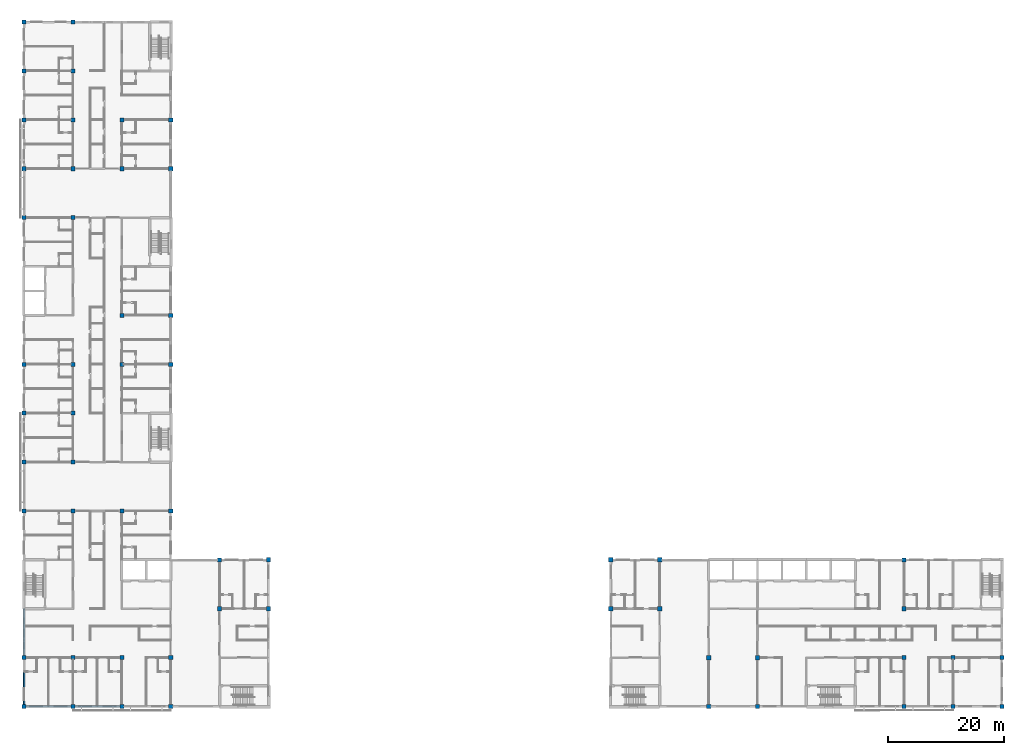
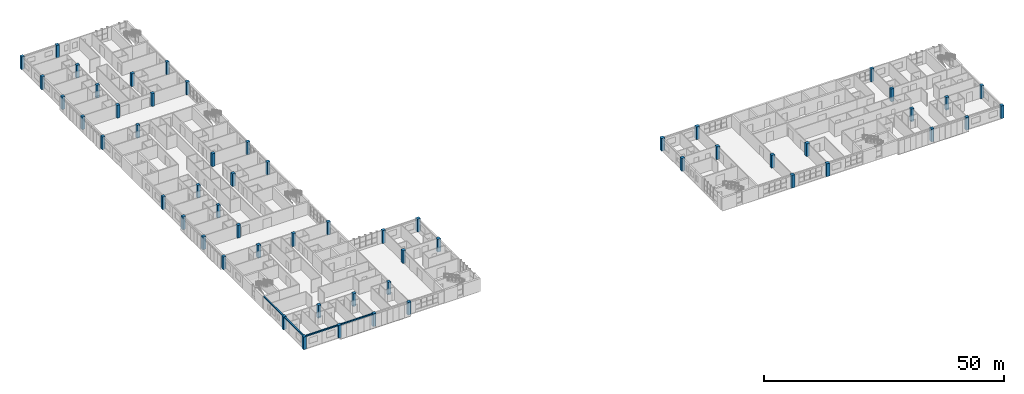
# One storey, part 1 of 45: 56 columns, 4 beams.
"""IFC4 building model written with IfcOpenShell, lengths in metres."""

from ifc_helpers import new_model, si_unit, direction, frame, origin, origin_2d, place, context, subcontext, project, spatial, rectangle, extrude, material, material_profile, profile_set, type_object, element, save


model = new_model("IFC4")

# Units and contexts
model_context = context("Model", 3, precision=1e-05, world=origin(), true_north=direction((0.0, 1.0)))
body_context = subcontext(model_context, "Body", "Model", "MODEL_VIEW")
ifc_project = project(units=[si_unit("LENGTHUNIT", "METRE"), si_unit("AREAUNIT", "SQUARE_METRE"), si_unit("VOLUMEUNIT", "CUBIC_METRE"), si_unit("PLANEANGLEUNIT", "RADIAN"), si_unit("MASSUNIT", "GRAM", prefix="KILO")], contexts=[model_context])

# Site, building, storey
site_placement = place(None, origin())
site = spatial("IfcSite", under=ifc_project, at=site_placement, CompositionType="ELEMENT")
building_placement = place(site_placement, origin())
building = spatial("IfcBuilding", under=site, at=building_placement, Name="Yavir Park General Hospital", CompositionType="ELEMENT")
storey_placement = place(building_placement, frame((0.0, 0.0, 22.5)))
storey = spatial("IfcBuildingStorey", under=building, at=storey_placement, Name="L05", CompositionType="ELEMENT", Elevation=22.5)

# Columns
ifc_material_1 = material(Name="Concrete C40/50", Category="concrete")
ifc_material_profile_1 = material_profile(ifc_material_1, rectangle(XDim=0.699951171875, YDim=0.699951171875, at=origin_2d()), Name="RC700x700")
ifc_profile_set_1 = profile_set([ifc_material_profile_1], Name="Concrete C40/50")
column_type_1 = type_object("IfcColumnType", Name="RC COLUMN 700x700", PredefinedType="COLUMN", material=ifc_profile_set_1)
for number, where, z_axis, x_axis, name in (
    (1, (0.0, 0.0, 0.0), (0.0, 0.0, 1.0), (1.0, 0.0, 0.0), "C:L05:1A"),
    (2, (8.39990234375, 0.0, 0.0), (0.0, 0.0, 1.0), (1.0, 0.0, 0.0), "C:L05:2A"),
    (3, (16.800048828125, 0.0, 0.0), (0.0, 0.0, 1.0), (1.0, 0.0, 0.0), "C:L05:3A"),
    (4, (25.199951171875, 0.0, 0.0), (0.0, 0.0, 1.0), (1.0, 0.0, 0.0), "C:L05:4A"),
    (5, (151.199951171875, 0.0, 0.0), (0.0, 0.0, 1.0), (1.0, 0.0, 0.0), "C:L05:19A"),
    (6, (159.60009765625, 0.0, 0.0), (0.0, 0.0, 1.0), (1.0, 0.0, 0.0), "C:L05:20A"),
    (7, (168.0, 0.0, 0.0), (0.0, 0.0, 1.0), (1.0, 0.0, 0.0), "C:L05:21A"),
    (8, (0.0, 8.39990234375, 0.0), (0.0, 0.0, 1.0), (1.0, 0.0, 0.0), "C:L05:1B"),
    (9, (8.39990234375, 8.39990234375, 0.0), (0.0, 0.0, 1.0), (1.0, 0.0, 0.0), "C:L05:2B"),
    (10, (16.800048828125, 8.39990234375, 0.0), (0.0, 0.0, 1.0), (1.0, 0.0, 0.0), "C:L05:3B"),
    (11, (25.199951171875, 8.39990234375, 0.0), (0.0, 0.0, 1.0), (1.0, 0.0, 0.0), "C:L05:4B"),
    (12, (151.199951171875, 8.39990234375, 0.0), (0.0, 0.0, 1.0), (1.0, 0.0, 0.0), "C:L05:19B"),
    (13, (159.60009765625, 8.39990234375, 0.0), (0.0, 0.0, 1.0), (1.0, 0.0, 0.0), "C:L05:20B"),
    (14, (168.0, 8.39990234375, 0.0), (0.0, 0.0, 1.0), (1.0, 0.0, 0.0), "C:L05:21B"),
    (15, (33.60009765625, 16.800048828125, 0.0), (0.0, 0.0, 1.0), (1.0, 0.0, 0.0), "C:L05:5C"),
    (16, (151.199951171875, 16.800048828125, 0.0), (0.0, 0.0, 1.0), (1.0, 0.0, 0.0), "C:L05:19C"),
    (17, (33.60009765625, 25.199951171875, 0.0), (0.0, 0.0, 1.0), (1.0, 0.0, 0.0), "C:L05:5D"),
    (18, (151.199951171875, 25.199951171875, 0.0), (0.0, 0.0, 1.0), (1.0, 0.0, 0.0), "C:L05:19D"),
    (19, (0.0, 33.60009765625, 0.0), (0.0, 0.0, 1.0), (1.0, 0.0, 0.0), "C:L05:1E"),
    (20, (8.39990234375, 33.60009765625, 0.0), (0.0, 0.0, 1.0), (1.0, 0.0, 0.0), "C:L05:2E"),
    (21, (16.800048828125, 33.60009765625, 0.0), (0.0, 0.0, 1.0), (1.0, 0.0, 0.0), "C:L05:3E"),
    (22, (25.199951171875, 33.60009765625, 0.0), (0.0, 0.0, 1.0), (1.0, 0.0, 0.0), "C:L05:4E"),
    (23, (0.0, 42.0, 0.0), (0.0, 0.0, 1.0), (1.0, 0.0, 0.0), "C:L05:1F"),
    (24, (8.39990234375, 42.0, 0.0), (0.0, 0.0, 1.0), (1.0, 0.0, 0.0), "C:L05:2F"),
    (25, (0.0, 50.39990234375, 0.0), (0.0, 0.0, 1.0), (1.0, 0.0, 0.0), "C:L05:1G"),
    (26, (8.39990234375, 50.39990234375, 0.0), (0.0, 0.0, 1.0), (1.0, 0.0, 0.0), "C:L05:2G"),
    (27, (0.0, 58.800048828125, 0.0), (0.0, 0.0, 1.0), (1.0, 0.0, 0.0), "C:L05:1H"),
    (28, (8.39990234375, 58.800048828125, 0.0), (0.0, 0.0, 1.0), (1.0, 0.0, 0.0), "C:L05:2H"),
    (29, (16.800048828125, 58.800048828125, 0.0), (0.0, 0.0, 1.0), (1.0, 0.0, 0.0), "C:L05:3H"),
    (30, (25.199951171875, 58.800048828125, 0.0), (0.0, 0.0, 1.0), (1.0, 0.0, 0.0), "C:L05:4H"),
    (31, (16.800048828125, 67.199951171875, 0.0), (0.0, 0.0, 1.0), (1.0, 0.0, 0.0), "C:L05:3J"),
    (32, (25.199951171875, 67.199951171875, 0.0), (0.0, 0.0, 1.0), (1.0, 0.0, 0.0), "C:L05:4J"),
    (33, (0.0, 84.0, 0.0), (0.0, 0.0, 1.0), (1.0, 0.0, 0.0), "C:L05:1L"),
    (34, (8.39990234375, 84.0, 0.0), (0.0, 0.0, 1.0), (1.0, 0.0, 0.0), "C:L05:2L"),
    (35, (0.0, 92.39990234375, 0.0), (0.0, 0.0, 1.0), (1.0, 0.0, 0.0), "C:L05:1M"),
    (36, (8.39990234375, 92.39990234375, 0.0), (0.0, 0.0, 1.0), (1.0, 0.0, 0.0), "C:L05:2M"),
    (37, (16.800048828125, 92.39990234375, 0.0), (0.0, 0.0, 1.0), (1.0, 0.0, 0.0), "C:L05:3M"),
    (38, (25.199951171875, 92.39990234375, 0.0), (0.0, 0.0, 1.0), (1.0, 0.0, 0.0), "C:L05:4M"),
    (39, (0.0, 100.800048828125, 0.0), (0.0, 0.0, 1.0), (1.0, 0.0, 0.0), "C:L05:1N"),
    (40, (8.39990234375, 100.800048828125, 0.0), (0.0, 0.0, 1.0), (1.0, 0.0, 0.0), "C:L05:2N"),
    (41, (16.800048828125, 100.800048828125, 0.0), (0.0, 0.0, 1.0), (1.0, 0.0, 0.0), "C:L05:3N"),
    (42, (25.199951171875, 100.800048828125, 0.0), (0.0, 0.0, 1.0), (1.0, 0.0, 0.0), "C:L05:4N"),
    (43, (0.0, 109.199951171875, 0.0), (0.0, 0.0, 1.0), (1.0, 0.0, 0.0), "C:L05:1P"),
    (44, (8.39990234375, 109.199951171875, 0.0), (0.0, 0.0, 1.0), (1.0, 0.0, 0.0), "C:L05:2P"),
    (45, (0.0, 117.60009765625, 0.0), (0.0, 0.0, 1.0), (1.0, 0.0, 0.0), "C:L05:1Q"),
    (46, (8.39990234375, 117.60009765625, 0.0), (0.0, 0.0, 1.0), (1.0, 0.0, 0.0), "C:L05:2Q"),
):
    element("IfcColumn", number, at=place(storey_placement, frame(where, z_axis=z_axis, x_axis=x_axis)), inside=storey, type_object=column_type_1, Name=name, PredefinedType="COLUMN", context=body_context, shape_type="SweptSolid", body=[
        extrude(rectangle(XDim=0.699951171875, YDim=0.699951171875, at=origin_2d()), origin(), (0.0, 0.0, 1.0), 3.260009765625),
    ])
ifc_material_2 = material(Name="Concrete C40/50", Category="concrete")
ifc_material_profile_2 = material_profile(ifc_material_2, rectangle(XDim=0.75, YDim=0.75, at=origin_2d()), Name="RC750x750")
ifc_profile_set_2 = profile_set([ifc_material_profile_2], Name="Concrete C40/50")
column_type_2 = type_object("IfcColumnType", Name="RC COLUMN 750x750", PredefinedType="COLUMN", material=ifc_profile_set_2)
for number, where, z_axis, x_axis, name in (
    (47, (117.60009765625, 0.0, 0.0), (0.0, 0.0, 1.0), (1.0, 0.0, 0.0), "C:L05:15A"),
    (48, (126.0, 0.0, 0.0), (0.0, 0.0, 1.0), (1.0, 0.0, 0.0), "C:L05:16A"),
    (49, (117.60009765625, 8.39990234375, 0.0), (0.0, 0.0, 1.0), (1.0, 0.0, 0.0), "C:L05:15B"),
    (50, (126.0, 8.39990234375, 0.0), (0.0, 0.0, 1.0), (1.0, 0.0, 0.0), "C:L05:16B"),
    (51, (42.0, 16.800048828125, 0.0), (0.0, 0.0, 1.0), (1.0, 0.0, 0.0), "C:L05:6C"),
    (52, (100.800048828125, 16.800048828125, 0.0), (0.0, 0.0, 1.0), (1.0, 0.0, 0.0), "C:L05:13C"),
    (53, (109.199951171875, 16.800048828125, 0.0), (0.0, 0.0, 1.0), (1.0, 0.0, 0.0), "C:L05:14C"),
    (54, (42.0, 25.199951171875, 0.0), (0.0, 0.0, 1.0), (1.0, 0.0, 0.0), "C:L05:6D"),
    (55, (100.800048828125, 25.199951171875, 0.0), (0.0, 0.0, 1.0), (1.0, 0.0, 0.0), "C:L05:13D"),
    (56, (109.199951171875, 25.199951171875, 0.0), (0.0, 0.0, 1.0), (1.0, 0.0, 0.0), "C:L05:14D"),
):
    element("IfcColumn", number, at=place(storey_placement, frame(where, z_axis=z_axis, x_axis=x_axis)), inside=storey, type_object=column_type_2, Name=name, PredefinedType="COLUMN", context=body_context, shape_type="SweptSolid", body=[
        extrude(rectangle(XDim=0.75, YDim=0.75, at=origin_2d()), origin(), (0.0, 0.0, 1.0), 3.260009765625),
    ])

# Beams
ifc_material_3 = material(Name="Concrete C35/45", Category="concrete")
ifc_material_profile_3 = material_profile(ifc_material_3, rectangle(XDim=0.300048828125, YDim=0.300048828125, at=origin_2d()), Name="RC300x300")
ifc_profile_set_3 = profile_set([ifc_material_profile_3], Name="Concrete C35/45")
beam_type = type_object("IfcBeamType", Name="RC BEAM 300x300 edge beam", PredefinedType="BEAM", material=ifc_profile_set_3)
for number, where, z_axis, x_axis, name in (
    (57, (0.35009765625, 0.0, 3.110107421875), (1.0, 0.0, 0.0), (0.0, 1.0, 0.0), "B:EDGE:L05:001"),
    (58, (8.75, 0.0, 3.110107421875), (1.0, 0.0, 0.0), (0.0, 1.0, 0.0), "B:EDGE:L05:002"),
    (59, (0.0, 0.35009765625, 3.110107421875), (0.0, 1.0, 0.0), (-1.0, 0.0, 0.0), "B:EDGE:L05:016"),
):
    element("IfcBeam", number, at=place(storey_placement, frame(where, z_axis=z_axis, x_axis=x_axis)), inside=storey, type_object=beam_type, Name=name, PredefinedType="BEAM", context=body_context, shape_type="SweptSolid", body=[
        extrude(rectangle(XDim=0.300048828125, YDim=0.300048828125, at=origin_2d()), origin(), (0.0, 0.0, 1.0), 7.699951171875),
    ])
beam_placement = place(storey_placement, frame((0.0, 8.75, 3.110107421875), z_axis=(0.0, 1.0, 0.0), x_axis=(-1.0, 0.0, 0.0)))
element("IfcBeam", 60, at=beam_placement, inside=storey, type_object=beam_type, Name="B:EDGE:L05:017", PredefinedType="BEAM", context=body_context, shape_type="SweptSolid", body=[
    extrude(rectangle(XDim=0.300048828125, YDim=0.300048828125, at=origin_2d()), origin(), (0.0, 0.0, 1.0), 8.050048828125),
])

save(model, "model.ifc")
